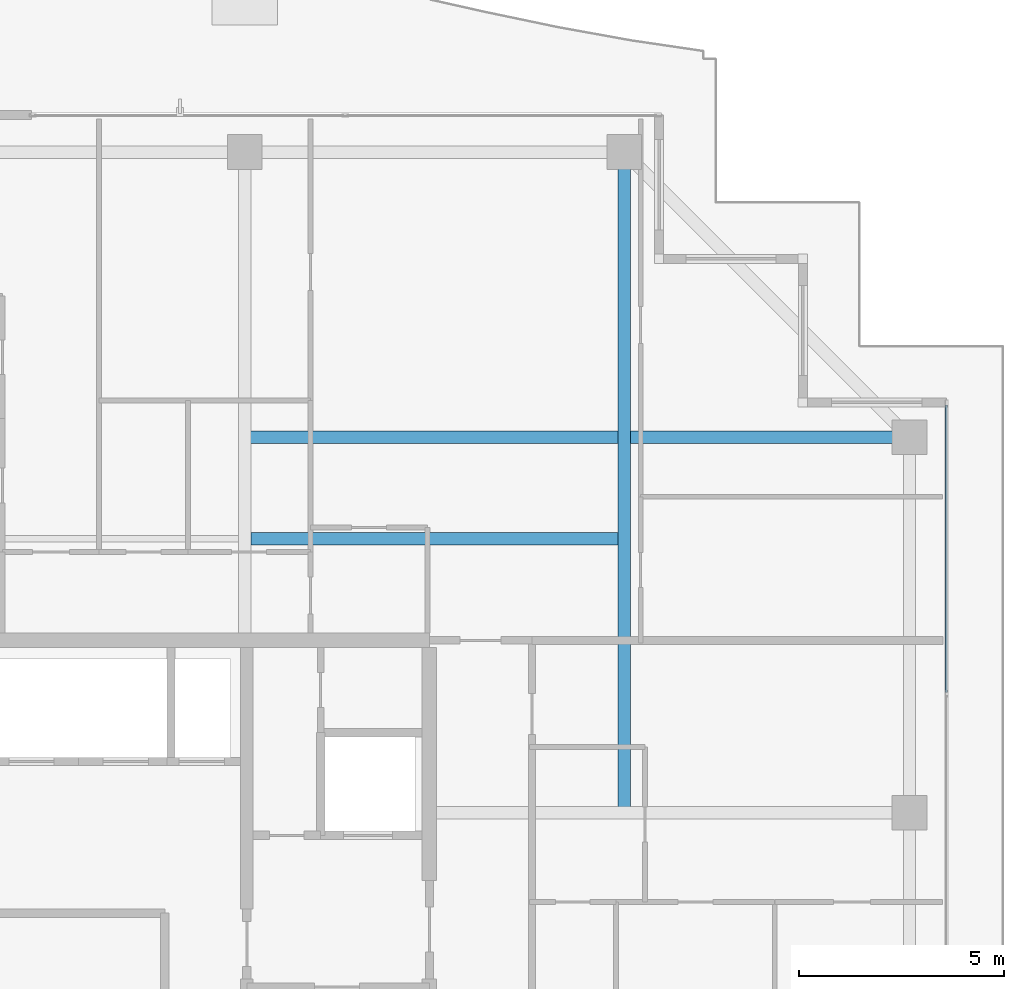
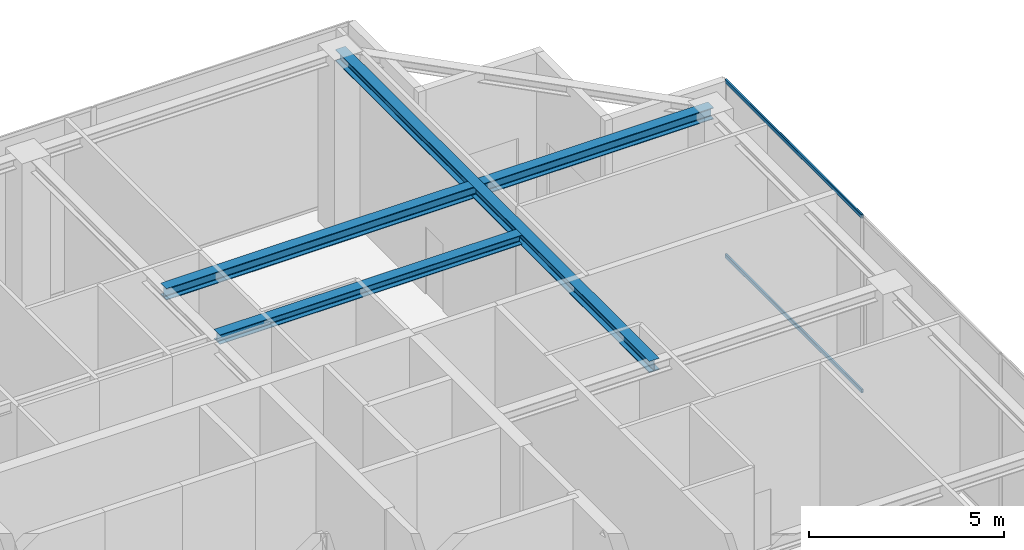
# One storey, part 22 of 38: 3 beams, 2 members, 1 element without a shape of its own.
"""IFC4 building model written with IfcOpenShell, lengths in metres."""

import ifcopenshell
import ifcopenshell.guid

model = None  # the IFC model being written
_history = None  # IfcOwnerHistory: only IFC2X3 demands one
_inside = {}  # id of a spatial element -> (the spatial element, [elements in it])
_under = {}  # id of a project, library or spatial element -> (it, [spatial elements below it])
_declared = {}  # id of a project -> (the project, [libraries it declares])
_typed = {}  # id of a type object -> (the type object, [elements of that type])
_made_of = {}  # id of a material, layer set ... -> (it, [elements and type objects made of it])


def new_model(schema):
    """Start an empty IFC model of exactly this schema.

    Asked for "IFC4X3", IfcOpenShell would pick the latest addendum, in which some entities
    have other attributes; the version numbers below select the first issue.
    IFC2X3 requires an IfcOwnerHistory on every rooted entity: one is made here for all.
    """
    global model, _history
    if schema == "IFC4X3":
        model = ifcopenshell.file(schema_version=(4, 3, 0, 0))
    else:
        model = ifcopenshell.file(schema=schema)
    _inside.clear()
    _under.clear()
    _declared.clear()
    _typed.clear()
    _made_of.clear()
    _history = None
    if model.schema == "IFC2X3":
        org = make("IfcOrganization", Name="unknown")
        user = make(
            "IfcPersonAndOrganization",
            ThePerson=make("IfcPerson", FamilyName="unknown"),
            TheOrganization=org,
        )
        app = make(
            "IfcApplication",
            ApplicationDeveloper=org,
            Version="unknown",
            ApplicationFullName="unknown",
            ApplicationIdentifier="unknown",
        )
        _history = make(
            "IfcOwnerHistory",
            OwningUser=user,
            OwningApplication=app,
            ChangeAction="ADDED",
            CreationDate=0,
        )
    return model


def make(cls, **values):
    """One entity of the class cls with the attributes given. An attribute that is None is left unset."""
    return model.create_entity(
        cls, **{name: value for name, value in values.items() if value is not None}
    )


def rooted(cls, **values):
    """An entity with a GlobalId (a new one), such as an element, a storey or a relation."""
    return make(cls, GlobalId=ifcopenshell.guid.new(), OwnerHistory=_history, **values)


def si_unit(unit_type, name, prefix=None):
    """IfcSIUnit, for example si_unit("LENGTHUNIT", "METRE", prefix="MILLI")."""
    return make("IfcSIUnit", UnitType=unit_type, Prefix=prefix, Name=name)


def assignment(units):
    """IfcUnitAssignment: the units of a project."""
    return None if units is None else make("IfcUnitAssignment", Units=units)


def point(xyz):
    """IfcCartesianPoint."""
    return None if xyz is None else make("IfcCartesianPoint", Coordinates=xyz)


def direction(xyz):
    """IfcDirection."""
    return None if xyz is None else make("IfcDirection", DirectionRatios=xyz)


def frame(location, z_axis=None, x_axis=None):
    """IfcAxis2Placement3D, a coordinate frame: its origin and axes. An axis left out is left unset."""
    return make(
        "IfcAxis2Placement3D",
        Location=point(location),
        Axis=direction(z_axis),
        RefDirection=direction(x_axis),
    )


def frame_2d(location, x_axis=None):
    """IfcAxis2Placement2D, a coordinate frame in the plane: its origin and x axis."""
    return make(
        "IfcAxis2Placement2D", Location=point(location), RefDirection=direction(x_axis)
    )


def origin():
    """The frame at (0, 0, 0) with its axes left unset."""
    return frame((0.0, 0.0, 0.0))


def origin_2d():
    """The frame at (0, 0) in the plane with its x axis left unset."""
    return frame_2d((0.0, 0.0))


def place(relative_to, where):
    """IfcLocalPlacement: puts the frame where relative to a parent placement (None: the world)."""
    return make(
        "IfcLocalPlacement", PlacementRelTo=relative_to, RelativePlacement=where
    )


def context(
    kind, dimensions, precision=None, world=None, true_north=None, identifier=None
):
    """IfcGeometricRepresentationContext, for example the 3D "Model" context."""
    return make(
        "IfcGeometricRepresentationContext",
        ContextIdentifier=identifier,
        ContextType=kind,
        CoordinateSpaceDimension=dimensions,
        Precision=precision,
        WorldCoordinateSystem=world,
        TrueNorth=true_north,
    )


def subcontext(parent, identifier, kind, view, scale=None):
    """IfcGeometricRepresentationSubContext, for example "Body" below "Model"."""
    return make(
        "IfcGeometricRepresentationSubContext",
        ContextIdentifier=identifier,
        ContextType=kind,
        ParentContext=parent,
        TargetScale=scale,
        TargetView=view,
    )


def project(units=None, contexts=None):
    """IfcProject with its units and contexts."""
    return rooted(
        "IfcProject",
        Name="project",
        RepresentationContexts=contexts,
        UnitsInContext=assignment(units),
    )


def spatial(cls, under=None, at=None, **own):
    """A site, building, storey or space (cls), placed at a placement, below another one or the project."""
    s = rooted(cls, ObjectPlacement=at, **own)
    if under is not None:
        _under.setdefault(under.id(), (under, []))[1].append(s)
    return s


def profile(cls, at=None, kind="AREA", **sizes):
    """A parametric profile (cls). Its sizes go by their IFC names, for example OverallWidth=200.0."""
    return make(cls, ProfileType=kind, Position=at, **sizes)


def hollow_rectangle(**sizes):
    """IfcRectangleHollowProfileDef."""
    return profile("IfcRectangleHollowProfileDef", **sizes)


def i_section(**sizes):
    """IfcIShapeProfileDef."""
    return profile("IfcIShapeProfileDef", **sizes)


def extrude(swept, where, along, depth):
    """IfcExtrudedAreaSolid: the profile swept, set in the frame where, extruded along a direction by depth."""
    return make(
        "IfcExtrudedAreaSolid",
        SweptArea=swept,
        Position=where,
        ExtrudedDirection=direction(along),
        Depth=depth,
    )


def shape(context_of_items, identifier, shape_type, items):
    """IfcShapeRepresentation: the items that make up one representation, for example the "Body"."""
    return make(
        "IfcShapeRepresentation",
        ContextOfItems=context_of_items,
        RepresentationIdentifier=identifier,
        RepresentationType=shape_type,
        Items=items,
    )


def source(mapping_origin, context_of_items, identifier, shape_type, items):
    """IfcRepresentationMap: a shape defined once, which mapped items show again and again."""
    return make(
        "IfcRepresentationMap",
        MappingOrigin=mapping_origin,
        MappedRepresentation=shape(context_of_items, identifier, shape_type, items),
    )


def transform(
    local_origin,
    x_axis=None,
    y_axis=None,
    z_axis=None,
    scale=None,
    scale2=None,
    scale3=None,
    uniform=True,
):
    """IfcCartesianTransformationOperator3D, or its non-uniform kind. x_axis, y_axis, z_axis: its Axis1, 2, 3."""
    if uniform:
        return make(
            "IfcCartesianTransformationOperator3D",
            Axis1=direction(x_axis),
            Axis2=direction(y_axis),
            LocalOrigin=point(local_origin),
            Scale=scale,
            Axis3=direction(z_axis),
        )
    return make(
        "IfcCartesianTransformationOperator3DnonUniform",
        Axis1=direction(x_axis),
        Axis2=direction(y_axis),
        LocalOrigin=point(local_origin),
        Scale=scale,
        Axis3=direction(z_axis),
        Scale2=scale2,
        Scale3=scale3,
    )


def mapped(mapping_source, mapping_target):
    """IfcMappedItem: shows the shape of a source again, moved by a transform."""
    return make(
        "IfcMappedItem", MappingSource=mapping_source, MappingTarget=mapping_target
    )


def material(Name=None, Category=None):
    """IfcMaterial."""
    return make("IfcMaterial", Name=Name, Category=Category)


def layer(
    of_material, thickness, ventilated=None, Name=None, Category=None, Priority=None
):
    """IfcMaterialLayer: one layer of a wall or slab, of a material (None: an air gap)."""
    return make(
        "IfcMaterialLayer",
        Material=of_material,
        LayerThickness=thickness,
        IsVentilated=ventilated,
        Name=Name,
        Category=Category,
        Priority=Priority,
    )


def layer_set(layers, Name=None):
    """IfcMaterialLayerSet."""
    return make("IfcMaterialLayerSet", MaterialLayers=layers, LayerSetName=Name)


def material_profile(
    of_material, cross_section, Name=None, Category=None, Priority=None
):
    """IfcMaterialProfile: a cross section and its material."""
    return make(
        "IfcMaterialProfile",
        Name=Name,
        Material=of_material,
        Profile=cross_section,
        Priority=Priority,
        Category=Category,
    )


def profile_set(profiles, Name=None, composite=None):
    """IfcMaterialProfileSet."""
    return make(
        "IfcMaterialProfileSet",
        Name=Name,
        MaterialProfiles=profiles,
        CompositeProfile=composite,
    )


def made_of(thing, what):
    """Note that an element or type object is made of a material, layer set ...; save() writes the relation."""
    if what is not None:
        _made_of.setdefault(what.id(), (what, []))[1].append(thing)
    return thing


def type_object(cls, material=None, **own):
    """A type object (cls), such as IfcWallType, which elements share."""
    return made_of(rooted(cls, **own), material)


def element(
    cls,
    number,
    at=None,
    inside=None,
    cuts=None,
    type_object=None,
    material=None,
    context=None,
    identifier="Body",
    shape_type=None,
    held_by="IfcProductDefinitionShape",
    body=None,
    shapes=None,
    **own,
):
    """One element of the class cls, such as IfcWall. Its Tag is "e" and its number.

    at: its placement. inside: the storey or other place that contains it. cuts: it is an
    opening in that element (IfcRelVoidsElement). A single representation is given by context,
    identifier, shape_type and body (its items); several are given by shapes. held_by: the class
    of the entity that holds the representations. save() writes the other relations.
    """
    e = rooted(cls, Tag="e%d" % number, ObjectPlacement=at, **own)
    if body is not None:
        shapes = [shape(context, identifier, shape_type, body)]
    if shapes is not None:
        e.Representation = make(held_by, Representations=shapes)
    if inside is not None:
        _inside.setdefault(inside.id(), (inside, []))[1].append(e)
    if cuts is not None:
        rooted(
            "IfcRelVoidsElement", RelatingBuildingElement=cuts, RelatedOpeningElement=e
        )
    if type_object is not None:
        _typed.setdefault(type_object.id(), (type_object, []))[1].append(e)
    return made_of(e, material)


def aggregate(whole, parts):
    """IfcRelAggregates: a whole, such as a stair, and the parts it consists of."""
    return rooted("IfcRelAggregates", RelatingObject=whole, RelatedObjects=parts)


def save(model, path):
    """Write the relations noted so far, then the file.

    IfcRelAggregates (storeys below a building ...), IfcRelContainedInSpatialStructure (elements
    in a storey), IfcRelDefinesByType, IfcRelAssociatesMaterial and IfcRelDeclares: one each for
    every whole, place, type object, material and project.
    """
    for whole, parts in _under.values():
        aggregate(whole, parts)
    for where, things in _inside.values():
        rooted(
            "IfcRelContainedInSpatialStructure",
            RelatedElements=things,
            RelatingStructure=where,
        )
    for kind, things in _typed.values():
        rooted("IfcRelDefinesByType", RelatedObjects=things, RelatingType=kind)
    for what, things in _made_of.values():
        rooted("IfcRelAssociatesMaterial", RelatedObjects=things, RelatingMaterial=what)
    for by, libraries in _declared.values():
        rooted("IfcRelDeclares", RelatingContext=by, RelatedDefinitions=libraries)
    model.write(path)


model = new_model("IFC4")

# Units and contexts
model_context = context("Model", 3, precision=1e-05, world=origin(), true_north=direction((0.0, 1.0)))
body_context = subcontext(model_context, "Body", "Model", "MODEL_VIEW")
ifc_project = project(units=[si_unit("LENGTHUNIT", "METRE"), si_unit("AREAUNIT", "SQUARE_METRE"), si_unit("VOLUMEUNIT", "CUBIC_METRE"), si_unit("PLANEANGLEUNIT", "RADIAN"), si_unit("MASSUNIT", "GRAM", prefix="KILO")], contexts=[model_context])

# Site, building, storey
site_placement = place(None, origin())
site = spatial("IfcSite", under=ifc_project, at=site_placement, CompositionType="ELEMENT")
building_placement = place(site_placement, origin())
building = spatial("IfcBuilding", under=site, at=building_placement, Name="Serunith Strait Residences", CompositionType="ELEMENT")
storey_placement = place(building_placement, frame((0.0, 0.0, 353.85009765625)))
storey = spatial("IfcBuildingStorey", under=building, at=storey_placement, Name="L87", CompositionType="ELEMENT", Elevation=353.85009765625)

# Beams
ifc_material_1 = material(Name="Steel S355J2", Category="steel")
ifc_material_profile_1 = material_profile(ifc_material_1, i_section(OverallWidth=0.300048828125, OverallDepth=0.360107421875, WebThickness=0.012451171875, FlangeThickness=0.0224609375, FilletRadius=0.027099609375, at=origin_2d()), Name="HEB 360")
ifc_profile_set_1 = profile_set([ifc_material_profile_1], Name="Steel S355J2")
beam_type_1 = type_object("IfcBeamType", Name="BM-HEB360", PredefinedType="BEAM", material=ifc_profile_set_1)
shared_shape_1 = source(origin(), body_context, "Body", "SweptSolid", [
    extrude(i_section(OverallWidth=0.300048828125, OverallDepth=0.360107421875, WebThickness=0.012451171875, FlangeThickness=0.0224609375, FilletRadius=0.027099609375, at=origin_2d()), origin(), (0.0, 0.0, 1.0), 16.10009765625),
])
beam_1_placement = place(storey_placement, frame((46.14990234375, 29.39990234375, 5.35693359375), z_axis=(0.0, 1.0, 0.0), x_axis=(-1.0, 0.0, 0.0)))
element("IfcBeam", 1, at=beam_1_placement, inside=storey, type_object=beam_type_1, Name="L87 Orthogonal Corner Girder TC-N4", PredefinedType="BEAM", context=body_context, shape_type="MappedRepresentation", body=[
    mapped(shared_shape_1, transform((0.0, 0.0, 0.0), scale=1.0)),
])
shared_shape_2 = source(origin(), body_context, "Body", "SweptSolid", [
    extrude(i_section(OverallWidth=0.300048828125, OverallDepth=0.360107421875, WebThickness=0.012451171875, FlangeThickness=0.0224609375, FilletRadius=0.027099609375, at=origin_2d()), origin(), (0.0, 0.0, 1.0), 16.2001953125),
])
beam_2_placement = place(storey_placement, frame((36.89990234375, 38.550048828125, 5.35693359375), z_axis=(1.0, 0.0, 0.0), x_axis=(0.0, 1.0, 0.0)))
element("IfcBeam", 2, at=beam_2_placement, inside=storey, type_object=beam_type_1, Name="L87 Orthogonal Corner Girder TC-E4", PredefinedType="BEAM", context=body_context, shape_type="MappedRepresentation", body=[
    mapped(shared_shape_2, transform((0.0, 0.0, 0.0), scale=1.0)),
])
ifc_material_profile_2 = material_profile(ifc_material_1, i_section(OverallWidth=0.300048828125, OverallDepth=0.300048828125, WebThickness=0.010986328125, FlangeThickness=0.01904296875, FilletRadius=0.027099609375, at=origin_2d()), Name="HEB 300")
ifc_profile_set_2 = profile_set([ifc_material_profile_2], Name="Steel S355J2")
beam_type_2 = type_object("IfcBeamType", Name="BM-HEB300", PredefinedType="JOIST", material=ifc_profile_set_2)
shared_shape_3 = source(origin(), body_context, "Body", "SweptSolid", [
    extrude(i_section(OverallWidth=0.300048828125, OverallDepth=0.300048828125, WebThickness=0.010986328125, FlangeThickness=0.01904296875, FilletRadius=0.027099609375, at=origin_2d()), origin(), (0.0, 0.0, 1.0), 8.949951171875),
])
beam_3_placement = place(storey_placement, frame((37.050048828125, 36.074951171875, 5.386962890625), z_axis=(1.0, 0.0, 0.0), x_axis=(0.0, 1.0, 0.0)))
element("IfcBeam", 3, at=beam_3_placement, inside=storey, type_object=beam_type_2, Name="L87 Composite Floor Joist 06", PredefinedType="JOIST", context=body_context, shape_type="MappedRepresentation", body=[
    mapped(shared_shape_3, transform((0.0, 0.0, 0.0), scale=1.0)),
])

# Curtain wall, members
ifc_material_2 = material(Name="Brushed Stainless-Silver Aluminium", Category="aluminium")
ifc_layer = layer(ifc_material_2, 0.199951171875, Name="Brushed Stainless-Silver Aluminium")
ifc_layer_set = layer_set([ifc_layer], Name="Brushed Stainless-Silver Aluminium")
curtain_wall_type = type_object("IfcCurtainWallType", Name="CW-SYS5", PredefinedType="NOTDEFINED", material=ifc_layer_set)
curtain_wall_placement = place(storey_placement, origin())
curtain_wall = element("IfcCurtainWall", 4, at=curtain_wall_placement, inside=storey, type_object=curtain_wall_type, Name="L87 E Unitised Fritted Curtain Wall", PredefinedType="NOTDEFINED")
ifc_material_profile_3 = material_profile(ifc_material_2, hollow_rectangle(XDim=0.06005859375, YDim=0.1201171875, WallThickness=0.00341796875, InnerFilletRadius=0.00537109375, OuterFilletRadius=0.0087890625, at=origin_2d()), Name="ALU 120x60x3.5")
ifc_profile_set_3 = profile_set([ifc_material_profile_3], Name="Brushed Stainless-Silver Aluminium")
member_type = type_object("IfcMemberType", Name="CW-SYS5-TRAN", PredefinedType="USERDEFINED", material=ifc_profile_set_3)
shared_shape_4 = source(origin(), body_context, "Body", "SweptSolid", [
    extrude(hollow_rectangle(XDim=0.06005859375, YDim=0.1201171875, WallThickness=0.00341796875, InnerFilletRadius=0.00537109375, OuterFilletRadius=0.0087890625, at=origin_2d()), origin(), (0.0, 0.0, 1.0), 7.00244140625),
])
member_1_placement = place(storey_placement, frame((54.0, 32.33251953125, 0.02978515625), z_axis=(0.0, 1.0, 0.0), x_axis=(-1.0, 0.0, 0.0)))
member_1 = element("IfcMember", 5, at=member_1_placement, type_object=member_type, Name="CW-5 transom 4.1", ObjectType="TRANSOM", PredefinedType="USERDEFINED", context=body_context, shape_type="MappedRepresentation", body=[
    mapped(shared_shape_4, transform((0.0, 0.0, 0.0), scale=1.0)),
])
member_2_placement = place(storey_placement, frame((54.0, 32.33251953125, 5.494873046875), z_axis=(0.0, 1.0, 0.0), x_axis=(-1.0, 0.0, 0.0)))
member_2 = element("IfcMember", 6, at=member_2_placement, type_object=member_type, Name="CW-5 transom 4.2", ObjectType="TRANSOM", PredefinedType="USERDEFINED", context=body_context, shape_type="MappedRepresentation", body=[
    mapped(shared_shape_4, transform((0.0, 0.0, 0.0), scale=1.0)),
])
aggregate(curtain_wall, [member_1, member_2])

save(model, "model.ifc")
